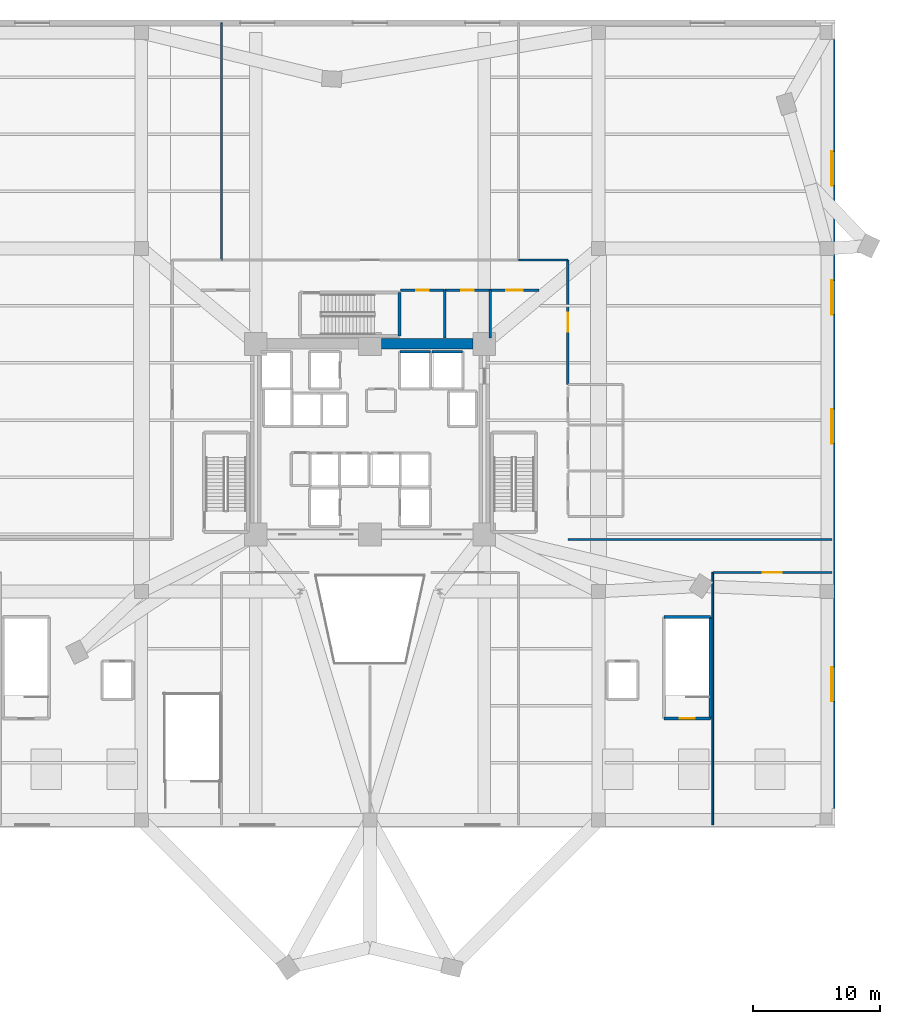
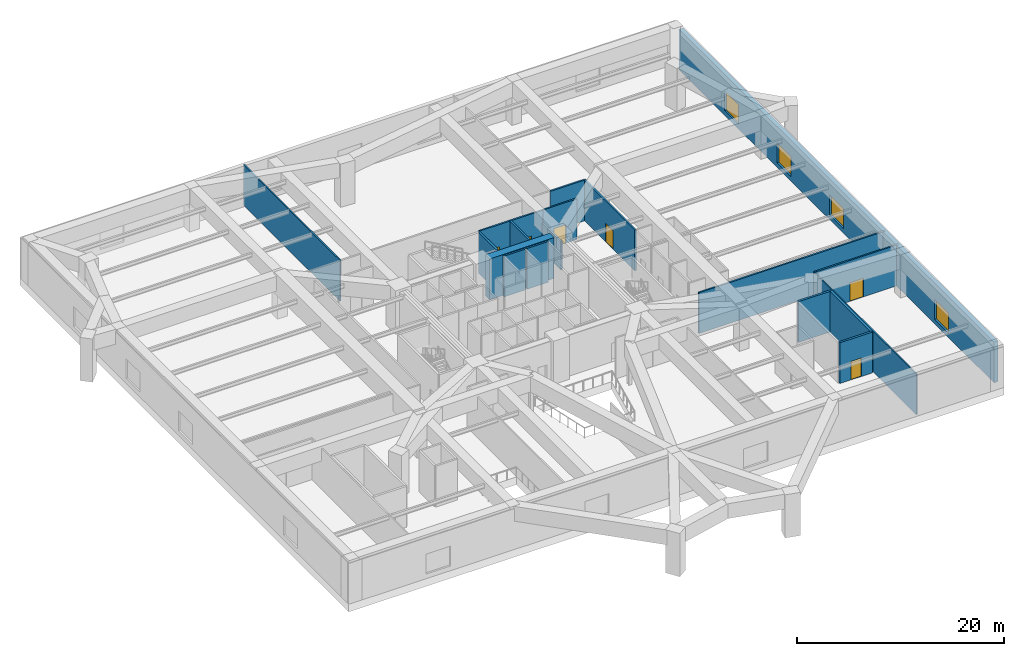
# One storey, part 8 of 14: 19 walls, 6 doors, 4 windows, 10 openings.
"""IFC4 building model written with IfcOpenShell, lengths in metres."""

from ifc_helpers import new_model, si_unit, direction, frame, frame_2d, origin, place, context, subcontext, project, spatial, rectangle, extrude, source, transform, mapped, material, layer, layer_set, type_object, element, fill, save


model = new_model("IFC4")

# Units and contexts
model_context = context("Model", 3, precision=1e-05, world=origin(), true_north=direction((0.0, 1.0)))
body_context = subcontext(model_context, "Body", "Model", "MODEL_VIEW")
ifc_project = project(units=[si_unit("LENGTHUNIT", "METRE"), si_unit("AREAUNIT", "SQUARE_METRE"), si_unit("VOLUMEUNIT", "CUBIC_METRE"), si_unit("PLANEANGLEUNIT", "RADIAN"), si_unit("MASSUNIT", "GRAM", prefix="KILO")], contexts=[model_context])

# Site, building, storey
site_placement = place(None, origin())
site = spatial("IfcSite", under=ifc_project, at=site_placement, CompositionType="ELEMENT")
building_placement = place(site_placement, origin())
building = spatial("IfcBuilding", under=site, at=building_placement, Name="Liaohun Quay Tower", CompositionType="ELEMENT")
storey_placement = place(building_placement, frame((0.0, 0.0, 23.39990234375)))
storey = spatial("IfcBuildingStorey", under=building, at=storey_placement, Name="L06", CompositionType="ELEMENT", Elevation=23.39990234375)

# Wall
ifc_material_1 = material(Name="Concrete C60", Category="concrete")
ifc_layer_1 = layer(ifc_material_1, 0.85009765625, Name="Concrete C60", Category="concrete")
ifc_layer_set_1 = layer_set([ifc_layer_1], Name="Concrete C60")
wall_type_1 = type_object("IfcWallType", Name="WAL-COR-Z1", PredefinedType="SHEAR", material=ifc_layer_set_1)
wall_1_placement = place(storey_placement, frame((60.89990234375, 61.5, 0.0), z_axis=(0.0, 0.0, 1.0), x_axis=(1.0, 0.0, 0.0)))
element("IfcWall", 1, at=wall_1_placement, inside=storey, type_object=wall_type_1, Name="L06 Central Core Shear Wall N-E", PredefinedType="SHEAR", context=body_context, shape_type="SweptSolid", body=[
    extrude(rectangle(XDim=7.2001953125, YDim=0.85009765625, at=frame_2d((3.60009765625, 0.0))), origin(), (0.0, 0.0, 1.0), 4.820068359375),
])

# Wall, openings, windows
ifc_material_2 = material(Name="Precast concrete C50 with granite facing", Category="masonry")
ifc_layer_2 = layer(ifc_material_2, 0.4599609375, Name="Precast concrete C50 with granite facing", Category="masonry")
ifc_layer_set_2 = layer_set([ifc_layer_2], Name="Precast concrete C50 with granite facing")
wall_type_2 = type_object("IfcWallType", Name="WAL-EXT-POD", PredefinedType="SOLIDWALL", material=ifc_layer_set_2)
wall_2_placement = place(storey_placement, frame((96.3701171875, 24.5400390625, 0.0), z_axis=(0.0, 0.0, 1.0), x_axis=(0.0, 1.0, 0.0)))
wall_2 = element("IfcWall", 2, at=wall_2_placement, inside=storey, type_object=wall_type_2, Name="L06 Podium Precast Facade Wall 01", PredefinedType="SOLIDWALL", context=body_context, shape_type="SweptSolid", body=[
    extrude(rectangle(XDim=60.919921875, YDim=0.4599609375, at=frame_2d((30.4599609375, 0.0))), origin(), (0.0, 0.0, 1.0), 4.820068359375),
])
shared_shape_1 = source(origin(), body_context, "Body", "SweptSolid", [
    extrude(rectangle(XDim=2.699951171875, YDim=2.35009765625, at=frame_2d((1.35009765625, 1.175048828125))), frame((0.0, 0.239990234375, 0.0), z_axis=(0.0, -1.0, 0.0), x_axis=(1.0, 0.0, 0.0)), (0.0, 0.0, 1.0), 0.47998046875),
])
opening_1_placement = place(wall_2_placement, frame((8.802978515625, 0.0, 0.550048828125)))
opening_1 = element("IfcOpeningElement", 3, at=opening_1_placement, cuts=wall_2, Name="Opening W06", PredefinedType="OPENING", context=body_context, shape_type="MappedRepresentation", body=[
    mapped(shared_shape_1, transform((0.0, 0.0, 0.0), x_axis=(1.0, 0.0, 0.0), y_axis=(0.0, 1.0, 0.0), z_axis=(0.0, 0.0, 1.0), scale=1.0)),
])
opening_2_placement = place(wall_2_placement, frame((29.110107421875, 0.0, 0.550048828125)))
opening_2 = element("IfcOpeningElement", 4, at=opening_2_placement, cuts=wall_2, Name="Opening W06", PredefinedType="OPENING", context=body_context, shape_type="MappedRepresentation", body=[
    mapped(shared_shape_1, transform((0.0, 0.0, 0.0), x_axis=(1.0, 0.0, 0.0), y_axis=(0.0, 1.0, 0.0), z_axis=(0.0, 0.0, 1.0), scale=1.0)),
])
opening_3_placement = place(wall_2_placement, frame((39.262939453125, 0.0, 0.550048828125)))
opening_3 = element("IfcOpeningElement", 5, at=opening_3_placement, cuts=wall_2, Name="Opening W06", PredefinedType="OPENING", context=body_context, shape_type="MappedRepresentation", body=[
    mapped(shared_shape_1, transform((0.0, 0.0, 0.0), x_axis=(1.0, 0.0, 0.0), y_axis=(0.0, 1.0, 0.0), z_axis=(0.0, 0.0, 1.0), scale=1.0)),
])
opening_4_placement = place(wall_2_placement, frame((49.4169921875, 0.0, 0.550048828125)))
opening_4 = element("IfcOpeningElement", 6, at=opening_4_placement, cuts=wall_2, Name="Opening W06", PredefinedType="OPENING", context=body_context, shape_type="MappedRepresentation", body=[
    mapped(shared_shape_1, transform((0.0, 0.0, 0.0), x_axis=(1.0, 0.0, 0.0), y_axis=(0.0, 1.0, 0.0), z_axis=(0.0, 0.0, 1.0), scale=1.0)),
])
ifc_material_3 = material(Name="Triple Low-E waterfront podium glazing", Category="glass")
window_type = type_object("IfcWindowType", Name="WIN-POD-ARC", PartitioningType="TRIPLE_PANEL_VERTICAL", PredefinedType="WINDOW", material=ifc_material_3)
shared_shape_2 = source(origin(), body_context, "Body", "SweptSolid", [
    extrude(rectangle(XDim=2.699951171875, YDim=2.35009765625, at=frame_2d((1.35009765625, 1.175048828125))), frame((0.0, 0.030029296875, 0.0), z_axis=(0.0, -1.0, 0.0), x_axis=(1.0, 0.0, 0.0)), (0.0, 0.0, 1.0), 0.06005859375),
])
window_1_placement = place(opening_1_placement, origin())
window_1 = element("IfcWindow", 7, at=window_1_placement, inside=storey, type_object=window_type, Name="L06 Podium Punched Window W06-01-01", OverallHeight=2.35009765625, OverallWidth=2.699951171875, PartitioningType="TRIPLE_PANEL_VERTICAL", PredefinedType="WINDOW", context=body_context, shape_type="MappedRepresentation", body=[
    mapped(shared_shape_2, transform((0.0, 0.0, 0.0), x_axis=(1.0, 0.0, 0.0), y_axis=(0.0, 1.0, 0.0), z_axis=(0.0, 0.0, 1.0), scale=1.0)),
])
fill(opening_1, window_1)
window_2_placement = place(opening_2_placement, origin())
window_2 = element("IfcWindow", 8, at=window_2_placement, inside=storey, type_object=window_type, Name="L06 Podium Punched Window W06-01-03", OverallHeight=2.35009765625, OverallWidth=2.699951171875, PartitioningType="TRIPLE_PANEL_VERTICAL", PredefinedType="WINDOW", context=body_context, shape_type="MappedRepresentation", body=[
    mapped(shared_shape_2, transform((0.0, 0.0, 0.0), x_axis=(1.0, 0.0, 0.0), y_axis=(0.0, 1.0, 0.0), z_axis=(0.0, 0.0, 1.0), scale=1.0)),
])
fill(opening_2, window_2)
window_3_placement = place(opening_3_placement, origin())
window_3 = element("IfcWindow", 9, at=window_3_placement, inside=storey, type_object=window_type, Name="L06 Podium Punched Window W06-01-04", OverallHeight=2.35009765625, OverallWidth=2.699951171875, PartitioningType="TRIPLE_PANEL_VERTICAL", PredefinedType="WINDOW", context=body_context, shape_type="MappedRepresentation", body=[
    mapped(shared_shape_2, transform((0.0, 0.0, 0.0), x_axis=(1.0, 0.0, 0.0), y_axis=(0.0, 1.0, 0.0), z_axis=(0.0, 0.0, 1.0), scale=1.0)),
])
fill(opening_3, window_3)
window_4_placement = place(opening_4_placement, origin())
window_4 = element("IfcWindow", 10, at=window_4_placement, inside=storey, type_object=window_type, Name="L06 Podium Punched Window W06-01-05", OverallHeight=2.35009765625, OverallWidth=2.699951171875, PartitioningType="TRIPLE_PANEL_VERTICAL", PredefinedType="WINDOW", context=body_context, shape_type="MappedRepresentation", body=[
    mapped(shared_shape_2, transform((0.0, 0.0, 0.0), x_axis=(1.0, 0.0, 0.0), y_axis=(0.0, 1.0, 0.0), z_axis=(0.0, 0.0, 1.0), scale=1.0)),
])
fill(opening_4, window_4)

# Wall, opening, door
ifc_material_4 = material(Name="Autoclaved aerated concrete blockwork", Category="masonry")
ifc_layer_3 = layer(ifc_material_4, 0.179931640625, Name="Autoclaved aerated concrete blockwork", Category="masonry")
ifc_layer_set_3 = layer_set([ifc_layer_3], Name="Autoclaved aerated concrete blockwork")
wall_type_3 = type_object("IfcWallType", Name="WAL-PRT-COR", PredefinedType="PARTITIONING", material=ifc_layer_set_3)
wall_3_placement = place(storey_placement, frame((62.389892578125, 65.719970703125, 0.0), z_axis=(0.0, 0.0, 1.0), x_axis=(1.0, 0.0, 0.0)))
wall_3 = element("IfcWall", 11, at=wall_3_placement, inside=storey, type_object=wall_type_3, Name="L06 Interior Partition Wall 006", PredefinedType="PARTITIONING", context=body_context, shape_type="SweptSolid", body=[
    extrude(rectangle(XDim=3.489990234375, YDim=0.179931640625, at=frame_2d((1.7451171875, 0.0))), origin(), (0.0, 0.0, 1.0), 4.820068359375),
])
shared_shape_3 = source(origin(), body_context, "Body", "SweptSolid", [
    extrude(rectangle(XDim=1.0, YDim=2.199951171875, at=frame_2d((0.5, 1.10009765625))), frame((0.0, 0.099853515625, 0.0), z_axis=(0.0, -1.0, 0.0), x_axis=(1.0, 0.0, 0.0)), (0.0, 0.0, 1.0), 0.199951171875),
])
opening_5_placement = place(wall_3_placement, frame((1.2451171875, 0.0, 0.0)))
opening_5 = element("IfcOpeningElement", 12, at=opening_5_placement, cuts=wall_3, Name="Opening OD1", PredefinedType="OPENING", context=body_context, shape_type="MappedRepresentation", body=[
    mapped(shared_shape_3, transform((0.0, 0.0, 0.0), x_axis=(1.0, 0.0, 0.0), y_axis=(0.0, 1.0, 0.0), z_axis=(0.0, 0.0, 1.0), scale=1.0)),
])
ifc_material_5 = material(Name="Solid-core oak veneer timber leaf in steel frame", Category="steel")
door_type_1 = type_object("IfcDoorType", Name="DOR-OFF-1000", OperationType="NOTDEFINED", PredefinedType="DOOR", material=ifc_material_5)
shared_shape_4 = source(origin(), body_context, "Body", "SweptSolid", [
    extrude(rectangle(XDim=1.0, YDim=2.199951171875, at=frame_2d((0.5, 1.10009765625))), frame((0.0, 0.02490234375, 0.0), z_axis=(0.0, -1.0, 0.0), x_axis=(1.0, 0.0, 0.0)), (0.0, 0.0, 1.0), 0.050048828125),
])
door_1_placement = place(opening_5_placement, origin())
door_1 = element("IfcDoor", 13, at=door_1_placement, inside=storey, type_object=door_type_1, Name="L06 Podium Archive Store Door", OperationType="SINGLE_SWING_LEFT", OverallHeight=2.199951171875, OverallWidth=1.0, PredefinedType="DOOR", context=body_context, shape_type="MappedRepresentation", body=[
    mapped(shared_shape_4, transform((0.0, 0.0, 0.0), x_axis=(1.0, 0.0, 0.0), y_axis=(0.0, 1.0, 0.0), z_axis=(0.0, 0.0, 1.0), scale=1.0)),
])
fill(opening_5, door_1)

wall_4_placement = place(storey_placement, frame((65.919921875, 65.719970703125, 0.0), z_axis=(0.0, 0.0, 1.0), x_axis=(1.0, 0.0, 0.0)))
wall_4 = element("IfcWall", 14, at=wall_4_placement, inside=storey, type_object=wall_type_3, Name="L06 Interior Partition Wall 007", PredefinedType="PARTITIONING", context=body_context, shape_type="SweptSolid", body=[
    extrude(rectangle(XDim=3.5400390625, YDim=0.179931640625, at=frame_2d((1.77001953125, 0.0))), origin(), (0.0, 0.0, 1.0), 4.820068359375),
])
opening_6_placement = place(wall_4_placement, frame((1.27001953125, 0.0, 0.0)))
opening_6 = element("IfcOpeningElement", 15, at=opening_6_placement, cuts=wall_4, Name="Opening OD1", PredefinedType="OPENING", context=body_context, shape_type="MappedRepresentation", body=[
    mapped(shared_shape_3, transform((0.0, 0.0, 0.0), x_axis=(1.0, 0.0, 0.0), y_axis=(0.0, 1.0, 0.0), z_axis=(0.0, 0.0, 1.0), scale=1.0)),
])
door_2_placement = place(opening_6_placement, origin())
door_2 = element("IfcDoor", 16, at=door_2_placement, inside=storey, type_object=door_type_1, Name="L06 Podium Pantry Room Door", OperationType="SINGLE_SWING_RIGHT", OverallHeight=2.199951171875, OverallWidth=1.0, PredefinedType="DOOR", context=body_context, shape_type="MappedRepresentation", body=[
    mapped(shared_shape_4, transform((0.0, 0.0, 0.0), x_axis=(1.0, 0.0, 0.0), y_axis=(0.0, 1.0, 0.0), z_axis=(0.0, 0.0, 1.0), scale=1.0)),
])
fill(opening_6, door_2)

wall_5_placement = place(storey_placement, frame((69.4599609375, 65.719970703125, 0.0), z_axis=(0.0, 0.0, 1.0), x_axis=(1.0, 0.0, 0.0)))
wall_5 = element("IfcWall", 17, at=wall_5_placement, inside=storey, type_object=wall_type_3, Name="L06 Interior Partition Wall 009", PredefinedType="PARTITIONING", context=body_context, shape_type="SweptSolid", body=[
    extrude(rectangle(XDim=3.840087890625, YDim=0.179931640625, at=frame_2d((1.919921875, 0.0))), origin(), (0.0, 0.0, 1.0), 4.820068359375),
])
shared_shape_5 = source(origin(), body_context, "Body", "SweptSolid", [
    extrude(rectangle(XDim=1.300048828125, YDim=2.199951171875, at=frame_2d((0.64990234375, 1.10009765625))), frame((0.0, 0.099853515625, 0.0), z_axis=(0.0, -1.0, 0.0), x_axis=(1.0, 0.0, 0.0)), (0.0, 0.0, 1.0), 0.199951171875),
])
opening_7_placement = place(wall_5_placement, frame((1.27001953125, 0.0, 0.0)))
opening_7 = element("IfcOpeningElement", 18, at=opening_7_placement, cuts=wall_5, Name="Opening FD1", PredefinedType="OPENING", context=body_context, shape_type="MappedRepresentation", body=[
    mapped(shared_shape_5, transform((0.0, 0.0, 0.0), x_axis=(1.0, 0.0, 0.0), y_axis=(0.0, 1.0, 0.0), z_axis=(0.0, 0.0, 1.0), scale=1.0)),
])
ifc_material_6 = material(Name="Galvanised steel smokeproof fire door", Category="steel")
door_type_2 = type_object("IfcDoorType", Name="DOR-FFL-1300", OperationType="NOTDEFINED", PredefinedType="DOOR", material=ifc_material_6)
shared_shape_6 = source(origin(), body_context, "Body", "SweptSolid", [
    extrude(rectangle(XDim=1.300048828125, YDim=2.199951171875, at=frame_2d((0.64990234375, 1.10009765625))), frame((0.0, 0.02490234375, 0.0), z_axis=(0.0, -1.0, 0.0), x_axis=(1.0, 0.0, 0.0)), (0.0, 0.0, 1.0), 0.050048828125),
])
door_3_placement = place(opening_7_placement, origin())
door_3 = element("IfcDoor", 19, at=door_3_placement, inside=storey, type_object=door_type_2, Name="L06 Podium East Core Vestibule Door", OperationType="SINGLE_SWING_RIGHT", OverallHeight=2.199951171875, OverallWidth=1.300048828125, PredefinedType="DOOR", context=body_context, shape_type="MappedRepresentation", body=[
    mapped(shared_shape_6, transform((0.0, 0.0, 0.0), x_axis=(1.0, 0.0, 0.0), y_axis=(0.0, 1.0, 0.0), z_axis=(0.0, 0.0, 1.0), scale=1.0)),
])
fill(opening_7, door_3)

wall_6_placement = place(storey_placement, frame((87.0, 43.5, 0.0), z_axis=(0.0, 0.0, 1.0), x_axis=(1.0, 0.0, 0.0)))
wall_6 = element("IfcWall", 20, at=wall_6_placement, inside=storey, type_object=wall_type_3, Name="L06 Interior Partition Wall 013", PredefinedType="PARTITIONING", context=body_context, shape_type="SweptSolid", body=[
    extrude(rectangle(XDim=9.375, YDim=0.179931640625, at=frame_2d((4.6875, 0.0))), origin(), (0.0, 0.0, 1.0), 4.820068359375),
])
shared_shape_7 = source(origin(), body_context, "Body", "SweptSolid", [
    extrude(rectangle(XDim=1.5, YDim=2.199951171875, at=frame_2d((0.75, 1.10009765625))), frame((0.0, 0.099853515625, 0.0), z_axis=(0.0, -1.0, 0.0), x_axis=(1.0, 0.0, 0.0)), (0.0, 0.0, 1.0), 0.199951171875),
])
opening_8_placement = place(wall_6_placement, frame((3.93798828125, 0.0, 0.0)))
opening_8 = element("IfcOpeningElement", 21, at=opening_8_placement, cuts=wall_6, Name="Opening OD2", PredefinedType="OPENING", context=body_context, shape_type="MappedRepresentation", body=[
    mapped(shared_shape_7, transform((0.0, 0.0, 0.0), x_axis=(1.0, 0.0, 0.0), y_axis=(0.0, 1.0, 0.0), z_axis=(0.0, 0.0, 1.0), scale=1.0)),
])
ifc_material_7 = material(Name="Acoustic oak veneer double door")
door_type_3 = type_object("IfcDoorType", Name="DOR-OFF-1500", OperationType="DOUBLE_DOOR_SINGLE_SWING", PredefinedType="DOOR", material=ifc_material_7)
shared_shape_8 = source(origin(), body_context, "Body", "SweptSolid", [
    extrude(rectangle(XDim=1.5, YDim=2.199951171875, at=frame_2d((0.75, 1.10009765625))), frame((0.0, 0.02490234375, 0.0), z_axis=(0.0, -1.0, 0.0), x_axis=(1.0, 0.0, 0.0)), (0.0, 0.0, 1.0), 0.050048828125),
])
door_4_placement = place(opening_8_placement, origin())
door_4 = element("IfcDoor", 22, at=door_4_placement, inside=storey, type_object=door_type_3, Name="L06 Commercial Servery Kitchen Door", OperationType="DOUBLE_DOOR_SINGLE_SWING", OverallHeight=2.199951171875, OverallWidth=1.5, PredefinedType="DOOR", context=body_context, shape_type="MappedRepresentation", body=[
    mapped(shared_shape_8, transform((0.0, 0.0, 0.0), x_axis=(1.0, 0.0, 0.0), y_axis=(0.0, 1.0, 0.0), z_axis=(0.0, 0.0, 1.0), scale=1.0)),
])
fill(opening_8, door_4)

wall_7_placement = place(storey_placement, frame((75.580078125, 58.280029296875, 0.0), z_axis=(0.0, 0.0, 1.0), x_axis=(0.0, 1.0, 0.0)))
wall_7 = element("IfcWall", 23, at=wall_7_placement, inside=storey, type_object=wall_type_3, Name="L06 Interior Partition Wall 015", PredefinedType="PARTITIONING", context=body_context, shape_type="SweptSolid", body=[
    extrude(rectangle(XDim=9.820068359375, YDim=0.179931640625, at=frame_2d((4.91015625, 0.0))), origin(), (0.0, 0.0, 1.0), 4.820068359375),
])
opening_9_placement = place(wall_7_placement, frame((4.159912109375, 0.0, 0.0)))
opening_9 = element("IfcOpeningElement", 24, at=opening_9_placement, cuts=wall_7, Name="Opening OD2", PredefinedType="OPENING", context=body_context, shape_type="MappedRepresentation", body=[
    mapped(shared_shape_7, transform((0.0, 0.0, 0.0), x_axis=(1.0, 0.0, 0.0), y_axis=(0.0, 1.0, 0.0), z_axis=(0.0, 0.0, 1.0), scale=1.0)),
])
door_5_placement = place(opening_9_placement, origin())
door_5 = element("IfcDoor", 25, at=door_5_placement, inside=storey, type_object=door_type_3, Name="L06 Medical First-Aid Clinic Door", OperationType="DOUBLE_DOOR_SINGLE_SWING", OverallHeight=2.199951171875, OverallWidth=1.5, PredefinedType="DOOR", context=body_context, shape_type="MappedRepresentation", body=[
    mapped(shared_shape_8, transform((0.0, 0.0, 0.0), x_axis=(1.0, 0.0, 0.0), y_axis=(0.0, 1.0, 0.0), z_axis=(0.0, 0.0, 1.0), scale=1.0)),
])
fill(opening_9, door_5)

# Walls
wall_8_placement = place(storey_placement, frame((75.580078125, 46.10009765625, 0.0), z_axis=(0.0, 0.0, 1.0), x_axis=(1.0, 0.0, 0.0)))
element("IfcWall", 26, at=wall_8_placement, inside=storey, type_object=wall_type_3, Name="L06 Interior Partition Wall 028", PredefinedType="PARTITIONING", context=body_context, shape_type="SweptSolid", body=[
    extrude(rectangle(XDim=20.794921875, YDim=0.179931640625, at=frame_2d((10.3974609375, 0.0))), origin(), (0.0, 0.0, 1.0), 4.820068359375),
])
wall_9_placement = place(storey_placement, frame((71.699951171875, 68.10009765625, 0.0), z_axis=(0.0, 0.0, 1.0), x_axis=(1.0, 0.0, 0.0)))
element("IfcWall", 27, at=wall_9_placement, inside=storey, type_object=wall_type_3, Name="L06 Interior Partition Wall 030", PredefinedType="PARTITIONING", context=body_context, shape_type="SweptSolid", body=[
    extrude(rectangle(XDim=3.880126953125, YDim=0.179931640625, at=frame_2d((1.93994140625, 0.0))), origin(), (0.0, 0.0, 1.0), 4.820068359375),
])
wall_10_placement = place(storey_placement, frame((65.8798828125, 61.949951171875, 0.0), z_axis=(0.0, 0.0, 1.0), x_axis=(0.0, 1.0, 0.0)))
element("IfcWall", 28, at=wall_10_placement, inside=storey, type_object=wall_type_3, Name="L06 Interior Partition Wall 038", PredefinedType="PARTITIONING", context=body_context, shape_type="SweptSolid", body=[
    extrude(rectangle(XDim=3.77001953125, YDim=0.179931640625, at=frame_2d((1.885009765625, 0.0))), origin(), (0.0, 0.0, 1.0), 4.820068359375),
])
wall_11_placement = place(storey_placement, frame((69.4599609375, 61.949951171875, 0.0), z_axis=(0.0, 0.0, 1.0), x_axis=(0.0, 1.0, 0.0)))
element("IfcWall", 29, at=wall_11_placement, inside=storey, type_object=wall_type_3, Name="L06 Interior Partition Wall 039", PredefinedType="PARTITIONING", context=body_context, shape_type="SweptSolid", body=[
    extrude(rectangle(XDim=3.77001953125, YDim=0.179931640625, at=frame_2d((1.885009765625, 0.0))), origin(), (0.0, 0.0, 1.0), 3.335205078125),
])
ifc_material_8 = material(Name="Gypsum board on twin steel studs", Category="steel")
ifc_layer_4 = layer(ifc_material_8, 0.139892578125, Name="Gypsum board on twin steel studs", Category="steel")
ifc_layer_set_4 = layer_set([ifc_layer_4], Name="Gypsum board on twin steel studs")
wall_type_4 = type_object("IfcWallType", Name="WAL-PRT-OFF", PredefinedType="PARTITIONING", material=ifc_layer_set_4)
wall_12_placement = place(storey_placement, frame((87.0, 23.625, 0.0), z_axis=(0.0, 0.0, 1.0), x_axis=(0.0, 1.0, 0.0)))
element("IfcWall", 30, at=wall_12_placement, inside=storey, type_object=wall_type_4, Name="L06 Interior Partition Wall 032", PredefinedType="PARTITIONING", context=body_context, shape_type="SweptSolid", body=[
    extrude(rectangle(XDim=19.875, YDim=0.139892578125, at=frame_2d((9.9375, 0.0))), origin(), (0.0, 0.0, 1.0), 4.820068359375),
])
wall_13_placement = place(storey_placement, frame((48.300048828125, 68.10009765625, 0.0), z_axis=(0.0, 0.0, 1.0), x_axis=(0.0, 1.0, 0.0)))
element("IfcWall", 31, at=wall_13_placement, inside=storey, type_object=wall_type_4, Name="L06 Interior Partition Wall 036", PredefinedType="PARTITIONING", context=body_context, shape_type="SweptSolid", body=[
    extrude(rectangle(XDim=18.6748046875, YDim=0.139892578125, at=frame_2d((9.33740234375, 0.0))), origin(), (0.0, 0.0, 1.0), 4.820068359375),
])
ifc_material_9 = material(Name="Concrete C50", Category="concrete")
ifc_layer_5 = layer(ifc_material_9, 0.239990234375, Name="Concrete C50", Category="concrete")
ifc_layer_set_5 = layer_set([ifc_layer_5], Name="Concrete C50")
wall_type_5 = type_object("IfcWallType", Name="WAL-SHF-200", PredefinedType="SOLIDWALL", material=ifc_layer_set_5)
wall_14_placement = place(storey_placement, frame((62.320068359375, 62.10009765625, 0.0), z_axis=(0.0, 0.0, 1.0), x_axis=(0.0, 1.0, 0.0)))
element("IfcWall", 32, at=wall_14_placement, inside=storey, type_object=wall_type_5, Name="L06 Stairwell ST-3 Structural Core Wall E", PredefinedType="SOLIDWALL", context=body_context, shape_type="SweptSolid", body=[
    extrude(rectangle(XDim=3.43994140625, YDim=0.239990234375, at=frame_2d((1.719970703125, 0.0))), origin(), (0.0, 0.0, 1.0), 4.820068359375),
])

# Wall, opening, door
wall_15_placement = place(storey_placement, frame((83.159912109375, 32.0, 0.0), z_axis=(0.0, 0.0, 1.0), x_axis=(1.0, 0.0, 0.0)))
wall_15 = element("IfcWall", 33, at=wall_15_placement, inside=storey, type_object=wall_type_5, Name="L06 Stairwell ST-P2 Structural Core Wall S", PredefinedType="SOLIDWALL", context=body_context, shape_type="SweptSolid", body=[
    extrude(rectangle(XDim=3.64013671875, YDim=0.239990234375, at=frame_2d((1.820068359375, 0.0))), origin(), (0.0, 0.0, 1.0), 4.820068359375),
])
shared_shape_9 = source(origin(), body_context, "Body", "SweptSolid", [
    extrude(rectangle(XDim=1.199951171875, YDim=2.199951171875, at=frame_2d((0.60009765625, 1.10009765625))), frame((0.0, 0.1298828125, 0.0), z_axis=(0.0, -1.0, 0.0), x_axis=(1.0, 0.0, 0.0)), (0.0, 0.0, 1.0), 0.260009765625),
])
opening_10_placement = place(wall_15_placement, frame((1.219970703125, 0.0, 0.0)))
opening_10 = element("IfcOpeningElement", 34, at=opening_10_placement, cuts=wall_15, Name="Opening SD1", PredefinedType="OPENING", context=body_context, shape_type="MappedRepresentation", body=[
    mapped(shared_shape_9, transform((0.0, 0.0, 0.0), x_axis=(1.0, 0.0, 0.0), y_axis=(0.0, 1.0, 0.0), z_axis=(0.0, 0.0, 1.0), scale=1.0)),
])
ifc_material_10 = material(Name="Galvanised steel fire door", Category="steel")
door_type_4 = type_object("IfcDoorType", Name="DOR-STR-1200", OperationType="NOTDEFINED", PredefinedType="DOOR", material=ifc_material_10)
shared_shape_10 = source(origin(), body_context, "Body", "SweptSolid", [
    extrude(rectangle(XDim=1.199951171875, YDim=2.199951171875, at=frame_2d((0.60009765625, 1.10009765625))), frame((0.0, 0.02490234375, 0.0), z_axis=(0.0, -1.0, 0.0), x_axis=(1.0, 0.0, 0.0)), (0.0, 0.0, 1.0), 0.050048828125),
])
door_6_placement = place(opening_10_placement, origin())
door_6 = element("IfcDoor", 35, at=door_6_placement, inside=storey, type_object=door_type_4, Name="L06 Protected Stair ST-P2 Fire Door", OperationType="SINGLE_SWING_RIGHT", OverallHeight=2.199951171875, OverallWidth=1.199951171875, PredefinedType="DOOR", context=body_context, shape_type="MappedRepresentation", body=[
    mapped(shared_shape_10, transform((0.0, 0.0, 0.0), x_axis=(1.0, 0.0, 0.0), y_axis=(0.0, 1.0, 0.0), z_axis=(0.0, 0.0, 1.0), scale=1.0)),
])
fill(opening_10, door_6)

# Walls
wall_16_placement = place(storey_placement, frame((86.800048828125, 32.0, 0.0), z_axis=(0.0, 0.0, 1.0), x_axis=(0.0, 1.0, 0.0)))
element("IfcWall", 36, at=wall_16_placement, inside=storey, type_object=wall_type_5, Name="L06 Stairwell ST-P2 Structural Core Wall E", PredefinedType="SOLIDWALL", context=body_context, shape_type="SweptSolid", body=[
    extrude(rectangle(XDim=8.0, YDim=0.239990234375, at=frame_2d((4.0, 0.0))), origin(), (0.0, 0.0, 1.0), 4.820068359375),
])
wall_17_placement = place(storey_placement, frame((86.800048828125, 40.0, 0.0), z_axis=(0.0, 0.0, 1.0), x_axis=(-1.0, 0.0, 0.0)))
element("IfcWall", 37, at=wall_17_placement, inside=storey, type_object=wall_type_5, Name="L06 Stairwell ST-P2 Structural Core Wall N", PredefinedType="SOLIDWALL", context=body_context, shape_type="SweptSolid", body=[
    extrude(rectangle(XDim=3.64013671875, YDim=0.239990234375, at=frame_2d((1.820068359375, 0.0))), origin(), (0.0, 0.0, 1.0), 4.820068359375),
])
wall_18_placement = place(storey_placement, frame((64.75, 60.8798828125, 0.0), z_axis=(0.0, 0.0, 1.0), x_axis=(-1.0, 0.0, 0.0)))
element("IfcWall", 38, at=wall_18_placement, inside=storey, type_object=wall_type_5, Name="L06 Lift OB-01 Hoistway Wall N", PredefinedType="SOLIDWALL", context=body_context, shape_type="SweptSolid", body=[
    extrude(rectangle(XDim=2.39990234375, YDim=0.199951171875, at=frame_2d((1.199951171875, 0.0))), origin(), (0.0, 0.0, 1.0), 4.820068359375),
])
wall_19_placement = place(storey_placement, frame((67.300048828125, 60.8798828125, 0.0), z_axis=(0.0, 0.0, 1.0), x_axis=(-1.0, 0.0, 0.0)))
element("IfcWall", 39, at=wall_19_placement, inside=storey, type_object=wall_type_5, Name="L06 Lift OB-02 Hoistway Wall N", PredefinedType="SOLIDWALL", context=body_context, shape_type="SweptSolid", body=[
    extrude(rectangle(XDim=2.400146484375, YDim=0.199951171875, at=frame_2d((1.2001953125, 0.0))), origin(), (0.0, 0.0, 1.0), 4.820068359375),
])

save(model, "model.ifc")
